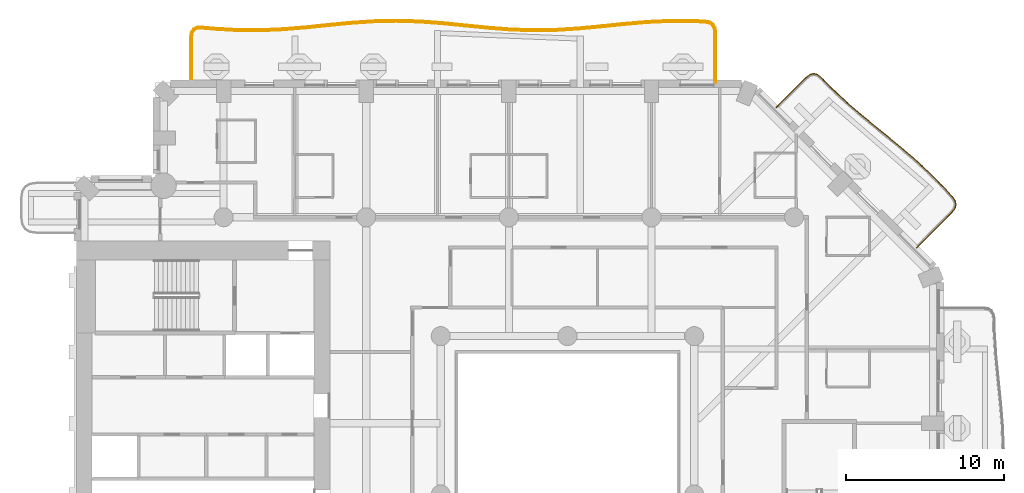
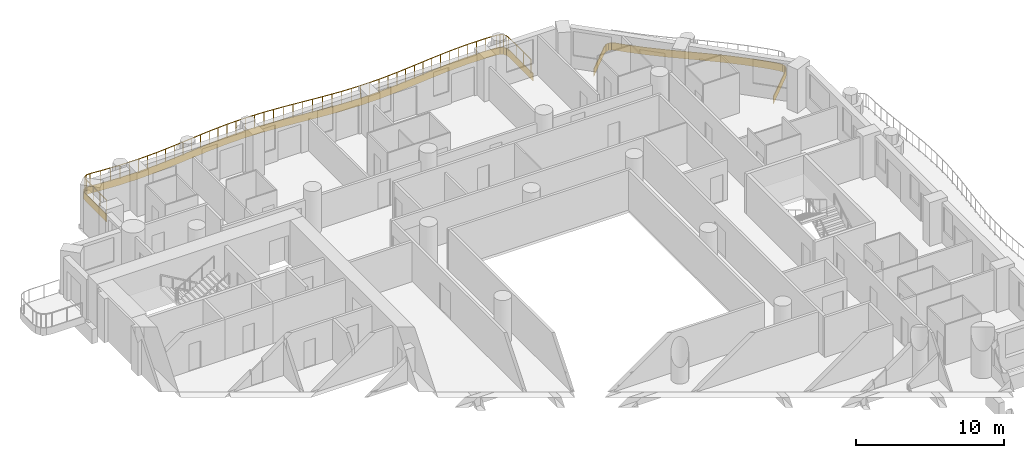
# One storey, part 18 of 20: 2 coverings, 1 railing.
"""IFC4 building model written with IfcOpenShell, lengths in metres."""

from ifc_helpers import new_model, si_unit, direction, frame, origin, origin_2d, place, context, subcontext, project, spatial, polyline, rectangle, outline, extrude, material, layer, layer_set, type_object, element, save


model = new_model("IFC4")

# Units and contexts
model_context = context("Model", 3, precision=1e-05, world=origin(), true_north=direction((0.0, 1.0)))
body_context = subcontext(model_context, "Body", "Model", "MODEL_VIEW")
ifc_project = project(units=[si_unit("LENGTHUNIT", "METRE"), si_unit("AREAUNIT", "SQUARE_METRE"), si_unit("VOLUMEUNIT", "CUBIC_METRE"), si_unit("PLANEANGLEUNIT", "RADIAN"), si_unit("MASSUNIT", "GRAM", prefix="KILO")], contexts=[model_context])

# Site, building, storey
site_placement = place(None, origin())
site = spatial("IfcSite", under=ifc_project, at=site_placement, CompositionType="ELEMENT")
building_placement = place(site_placement, origin())
building = spatial("IfcBuilding", under=site, at=building_placement, Name="Cypress Arch Tower", CompositionType="ELEMENT")
storey_placement = place(building_placement, frame((0.0, 0.0, 95.10009765625)))
storey = spatial("IfcBuildingStorey", under=building, at=storey_placement, Name="L18", CompositionType="ELEMENT", Elevation=95.10009765625)

# Coverings
ifc_material_1 = material(Name="White powder-coated aluminium fascia", Category="aluminium")
ifc_layer = layer(ifc_material_1, 0.050048828125)
ifc_layer_set = layer_set([ifc_layer], Name="Balcony fascia BF50")
covering_type = type_object("IfcCoveringType", Name="Balcony fascia BF50", PredefinedType="CLADDING", material=ifc_layer_set)
covering_1_placement = place(storey_placement, frame((0.0, 0.0, -0.60009765625)))
element("IfcCovering", 1, at=covering_1_placement, inside=storey, type_object=covering_type, Name="Balcony fascia L18-A07", PredefinedType="CLADDING", context=body_context, shape_type="SweptSolid", body=[
    extrude(outline(polyline([(16.069580078125, 26.3583984375), (16.300537109375, 26.531494140625), (16.541748046875, 26.590576171875), (16.78173828125, 26.52685546875), (17.009521484375, 26.349365234375), (17.539794921875, 25.798583984375), (18.5478515625, 24.850341796875), (19.597900390625, 23.943359375), (20.674072265625, 23.06103515625), (21.754150390625, 22.180908203125), (22.815185546875, 21.2802734375), (23.83837890625, 20.3408203125), (24.813720703125, 19.353271484375), (25.326904296875, 18.781982421875), (25.4892578125, 18.5400390625), (25.541259765625, 18.291015625), (25.47607421875, 18.044921875), (25.301025390625, 17.812255859375), (23.045166015625, 15.556396484375), (23.009765625, 15.591796875), (25.262939453125, 17.844970703125), (25.43017578125, 18.067138671875), (25.489990234375, 18.292236328125), (25.4423828125, 18.520263671875), (25.287353515625, 18.751220703125), (24.77734375, 19.31884765625), (23.8037109375, 20.3046875), (22.781982421875, 21.24267578125), (21.72216796875, 22.142578125), (20.642578125, 23.022216796875), (19.565673828125, 23.905029296875), (18.514404296875, 24.813232421875), (17.504638671875, 25.762939453125), (16.975830078125, 26.312255859375), (16.759033203125, 26.481201171875), (16.541259765625, 26.538818359375), (16.322265625, 26.4853515625), (16.1025390625, 26.320556640625), (14.191650390625, 24.40966796875), (14.15625, 24.445068359375), (16.069580078125, 26.3583984375)])), origin(), (0.0, 0.0, 1.0), 0.60009765625),
])
covering_2_placement = place(storey_placement, frame((0.0, 0.0, -0.60009765625)))
element("IfcCovering", 2, at=covering_2_placement, inside=storey, type_object=covering_type, Name="Balcony fascia L18-A08", PredefinedType="CLADDING", context=body_context, shape_type="SweptSolid", body=[
    extrude(outline(polyline([(-22.800048828125, 28.8857421875), (-22.757568359375, 29.1806640625), (-22.623046875, 29.393310546875), (-22.39892578125, 29.5078125), (-22.101318359375, 29.52294921875), (-21.30712890625, 29.449951171875), (-19.8701171875, 29.3671875), (-18.433349609375, 29.35400390625), (-16.99658203125, 29.413818359375), (-15.558837890625, 29.5322265625), (-14.1201171875, 29.679443359375), (-12.68017578125, 29.819580078125), (-11.2392578125, 29.91796875), (-9.797607421875, 29.94970703125), (-8.356201171875, 29.907470703125), (-6.915283203125, 29.801513671875), (-5.475341796875, 29.658203125), (-4.036865234375, 29.5126953125), (-2.599365234375, 29.4013671875), (-1.16259765625, 29.351318359375), (0.274169921875, 29.375), (1.711181640625, 29.46630859375), (3.1494140625, 29.603271484375), (4.5888671875, 29.751708984375), (6.029296875, 29.875), (7.470703125, 29.94287109375), (8.912353515625, 29.93798828125), (9.70849609375, 29.89599609375), (10.0048828125, 29.838134765625), (10.225341796875, 29.69384765625), (10.357666015625, 29.466064453125), (10.39990234375, 29.167236328125), (10.39990234375, 26.0009765625), (10.35009765625, 26.0009765625), (10.35009765625, 29.16357421875), (10.3095703125, 29.449462890625), (10.18798828125, 29.658447265625), (9.98583984375, 29.790771484375), (9.702392578125, 29.84619140625), (8.910888671875, 29.88818359375), (7.4716796875, 29.892822265625), (6.03271484375, 29.8251953125), (4.593505859375, 29.701904296875), (3.154296875, 29.553466796875), (1.71533203125, 29.41650390625), (0.276123046875, 29.324951171875), (-1.1630859375, 29.30126953125), (-2.602294921875, 29.351318359375), (-4.041259765625, 29.462890625), (-5.48046875, 29.6083984375), (-6.919677734375, 29.751708984375), (-8.358642578125, 29.857666015625), (-9.7978515625, 29.89990234375), (-11.237060546875, 29.867919921875), (-12.676025390625, 29.769775390625), (-14.115234375, 29.6298828125), (-15.554443359375, 29.482421875), (-16.993408203125, 29.364013671875), (-18.4326171875, 29.303955078125), (-19.871826171875, 29.317138671875), (-21.310791015625, 29.400146484375), (-22.102294921875, 29.472900390625), (-22.3857421875, 29.458251953125), (-22.588134765625, 29.35498046875), (-22.70947265625, 29.1630859375), (-22.75, 28.882080078125), (-22.75, 26.0009765625), (-22.800048828125, 26.0009765625), (-22.800048828125, 28.8857421875)])), origin(), (0.0, 0.0, 1.0), 0.60009765625),
])

# Railing
ifc_material_2 = material(Name="Powder-coated steel posts and rods, 100 mm clear between rods", Category="steel")
railing_type = type_object("IfcRailingType", Name="Balcony guard GR1100", PredefinedType="GUARDRAIL", material=ifc_material_2)
railing_placement = place(storey_placement, frame((-22.699951171875, 26.14990234375, 0.0)))
element("IfcRailing", 3, at=railing_placement, inside=storey, type_object=railing_type, Name="Balcony guard L18-A08", PredefinedType="GUARDRAIL", context=body_context, shape_type="SweptSolid", body=[
    extrude(rectangle(XDim=0.050048828125, YDim=0.050048828125, at=origin_2d()), frame((0.0, 0.0, 1.0751953125), z_axis=(0.0, 1.0, 0.0), x_axis=(-1.0, 0.0, 0.0)), (0.0, 0.0, 1.0), 2.728759765625),
    extrude(rectangle(XDim=0.050048828125, YDim=0.050048828125, at=origin_2d()), frame((0.0, 2.728759765625, 1.0751953125), z_axis=(0.142309601272, 0.989822194834, 0.0), x_axis=(-0.989822194834, 0.142309601272, 0.0)), (0.0, 0.0, 1.0), 0.269287109375),
    extrude(rectangle(XDim=0.050048828125, YDim=0.050048828125, at=origin_2d()), frame((0.038330078125, 2.995361328125, 1.0751953125), z_axis=(0.53453642892, 0.845145434915, 0.0), x_axis=(-0.845145434915, 0.53453642892, 0.0)), (0.0, 0.0, 1.0), 0.202880859375),
    extrude(rectangle(XDim=0.050048828125, YDim=0.050048828125, at=origin_2d()), frame((0.146728515625, 3.166748046875, 1.0751953125), z_axis=(0.890543032205, 0.454899008343, 0.0), x_axis=(-0.454899008343, 0.890543032205, 0.0)), (0.0, 0.0, 1.0), 0.202880859375),
    extrude(rectangle(XDim=0.050048828125, YDim=0.050048828125, at=origin_2d()), frame((0.327392578125, 3.259033203125, 1.0751953125), z_axis=(0.998664984942, 0.051655085428, 0.0), x_axis=(-0.051655085428, 0.998664984942, 0.0)), (0.0, 0.0, 1.0), 0.269287109375),
    extrude(rectangle(XDim=0.050048828125, YDim=0.050048828125, at=origin_2d()), frame((0.596435546875, 3.27294921875, 1.0751953125), z_axis=(0.995801759057, -0.091536094844, 0.0), x_axis=(0.091536094844, 0.995801759057, 0.0)), (0.0, 0.0, 1.0), 0.792236328125),
    extrude(rectangle(XDim=0.050048828125, YDim=0.050048828125, at=origin_2d()), frame((1.38525390625, 3.200439453125, 1.0751953125), z_axis=(0.998336199913, -0.05766135572, 0.0), x_axis=(0.05766135572, 0.998336199913, 0.0)), (0.0, 0.0, 1.0), 1.44384765625),
    extrude(rectangle(XDim=0.050048828125, YDim=0.050048828125, at=origin_2d()), frame((2.82666015625, 3.1171875, 1.0751953125), z_axis=(0.999958174843, -0.009145958916, 0.0), x_axis=(0.009145958916, 0.999958174843, 0.0)), (0.0, 0.0, 1.0), 1.44140625),
    extrude(rectangle(XDim=0.050048828125, YDim=0.050048828125, at=origin_2d()), frame((4.26806640625, 3.10400390625, 1.0751953125), z_axis=(0.999126019837, 0.041799479488, 0.0), x_axis=(-0.041799479488, 0.999126019837, 0.0)), (0.0, 0.0, 1.0), 1.442626953125),
    extrude(rectangle(XDim=0.050048828125, YDim=0.050048828125, at=origin_2d()), frame((5.70947265625, 3.164306640625, 1.0751953125), z_axis=(0.996639462423, 0.081913258647, 0.0), x_axis=(-0.081913258647, 0.996639462423, 0.0)), (0.0, 0.0, 1.0), 1.445556640625),
    extrude(rectangle(XDim=0.050048828125, YDim=0.050048828125, at=origin_2d()), frame((7.150146484375, 3.28271484375, 1.0751953125), z_axis=(0.994793726139, 0.101908990941, 0.0), x_axis=(-0.101908990941, 0.994793726139, 0.0)), (0.0, 0.0, 1.0), 1.447021484375),
    extrude(rectangle(XDim=0.050048828125, YDim=0.050048828125, at=origin_2d()), frame((8.589599609375, 3.43017578125, 1.0751953125), z_axis=(0.9953044498, 0.096793864517, 0.0), x_axis=(-0.096793864517, 0.9953044498, 0.0)), (0.0, 0.0, 1.0), 1.4453125),
    extrude(rectangle(XDim=0.050048828125, YDim=0.050048828125, at=origin_2d()), frame((10.028076171875, 3.570068359375, 1.0751953125), z_axis=(0.99768813432, 0.067958712734, 0.0), x_axis=(-0.067958712734, 0.99768813432, 0.0)), (0.0, 0.0, 1.0), 1.440673828125),
    extrude(rectangle(XDim=0.050048828125, YDim=0.050048828125, at=origin_2d()), frame((11.46533203125, 3.66796875, 1.0751953125), z_axis=(0.999752254456, 0.022258250397, 0.0), x_axis=(-0.022258250397, 0.999752254456, 0.0)), (0.0, 0.0, 1.0), 1.436767578125),
    extrude(rectangle(XDim=0.050048828125, YDim=0.050048828125, at=origin_2d()), frame((12.90185546875, 3.699951171875, 1.0751953125), z_axis=(0.999568194759, -0.029384077773, 0.0), x_axis=(0.029384077773, 0.999568194759, 0.0)), (0.0, 0.0, 1.0), 1.4375),
    extrude(rectangle(XDim=0.050048828125, YDim=0.050048828125, at=origin_2d()), frame((14.338623046875, 3.65771484375, 1.0751953125), z_axis=(0.99730689657, -0.073341352958, 0.0), x_axis=(0.073341352958, 0.99730689657, 0.0)), (0.0, 0.0, 1.0), 1.44140625),
    extrude(rectangle(XDim=0.050048828125, YDim=0.050048828125, at=origin_2d()), frame((15.776123046875, 3.552001953125, 1.0751953125), z_axis=(0.995073909169, -0.099135842614, 0.0), x_axis=(0.099135842614, 0.995073909169, 0.0)), (0.0, 0.0, 1.0), 1.445556640625),
    extrude(rectangle(XDim=0.050048828125, YDim=0.050048828125, at=origin_2d()), frame((17.214599609375, 3.40869140625, 1.0751953125), z_axis=(0.994931393591, -0.100556064199, 0.0), x_axis=(0.100556064199, 0.994931393591, 0.0)), (0.0, 0.0, 1.0), 1.447021484375),
    extrude(rectangle(XDim=0.050048828125, YDim=0.050048828125, at=origin_2d()), frame((18.654296875, 3.26318359375, 1.0751953125), z_axis=(0.997014596999, -0.077213297887, 0.0), x_axis=(0.077213297887, 0.997014596999, 0.0)), (0.0, 0.0, 1.0), 1.445068359375),
    extrude(rectangle(XDim=0.050048828125, YDim=0.050048828125, at=origin_2d()), frame((20.094970703125, 3.151611328125, 1.0751953125), z_axis=(0.999391843394, -0.03487037936, 0.0), x_axis=(0.03487037936, 0.999391843394, 0.0)), (0.0, 0.0, 1.0), 1.4423828125),
    extrude(rectangle(XDim=0.050048828125, YDim=0.050048828125, at=origin_2d()), frame((21.536376953125, 3.101318359375, 1.0751953125), z_axis=(0.999865108126, 0.01642454115, 0.0), x_axis=(-0.01642454115, 0.999865108126, 0.0)), (0.0, 0.0, 1.0), 1.44189453125),
    extrude(rectangle(XDim=0.050048828125, YDim=0.050048828125, at=origin_2d()), frame((22.97802734375, 3.125, 1.0751953125), z_axis=(0.997977534822, 0.063567601744, 0.0), x_axis=(-0.063567601744, 0.997977534822, 0.0)), (0.0, 0.0, 1.0), 1.444091796875),
    extrude(rectangle(XDim=0.050048828125, YDim=0.050048828125, at=origin_2d()), frame((24.419189453125, 3.216796875, 1.0751953125), z_axis=(0.995506844336, 0.094689613373, 0.0), x_axis=(-0.094689613373, 0.995506844336, 0.0)), (0.0, 0.0, 1.0), 1.446533203125),
    extrude(rectangle(XDim=0.050048828125, YDim=0.050048828125, at=origin_2d()), frame((25.859130859375, 3.353759765625, 1.0751953125), z_axis=(0.994721534839, 0.102611247571, 0.0), x_axis=(-0.102611247571, 0.994721534839, 0.0)), (0.0, 0.0, 1.0), 1.446533203125),
    extrude(rectangle(XDim=0.050048828125, YDim=0.050048828125, at=origin_2d()), frame((27.298095703125, 3.502197265625, 1.0751953125), z_axis=(0.99634335779, 0.085439530597, 0.0), x_axis=(-0.085439530597, 0.99634335779, 0.0)), (0.0, 0.0, 1.0), 1.443115234375),
    extrude(rectangle(XDim=0.050048828125, YDim=0.050048828125, at=origin_2d()), frame((28.73583984375, 3.62548828125, 1.0751953125), z_axis=(0.998902430091, 0.046839461554, 0.0), x_axis=(-0.046839461554, 0.998902430091, 0.0)), (0.0, 0.0, 1.0), 1.4384765625),
    extrude(rectangle(XDim=0.050048828125, YDim=0.050048828125, at=origin_2d()), frame((30.1728515625, 3.69287109375, 1.0751953125), z_axis=(0.999994786511, -0.003229079018, 0.0), x_axis=(0.003229079018, 0.999994786511, 0.0)), (0.0, 0.0, 1.0), 1.4365234375),
    extrude(rectangle(XDim=0.050048828125, YDim=0.050048828125, at=origin_2d()), frame((31.609375, 3.688232421875, 1.0751953125), z_axis=(0.998611831478, -0.052672668741, 0.0), x_axis=(0.052672668741, 0.998611831478, 0.0)), (0.0, 0.0, 1.0), 0.787841796875),
    extrude(rectangle(XDim=0.050048828125, YDim=0.050048828125, at=origin_2d()), frame((32.396240234375, 3.646728515625, 1.0751953125), z_axis=(0.981323594425, -0.1923642457, 0.0), x_axis=(0.1923642457, 0.981323594425, 0.0)), (0.0, 0.0, 1.0), 0.275390625),
    extrude(rectangle(XDim=0.050048828125, YDim=0.050048828125, at=origin_2d()), frame((32.66650390625, 3.59375, 1.0751953125), z_axis=(0.837301587834, -0.546741301724, 0.0), x_axis=(0.546741301724, 0.837301587834, 0.0)), (0.0, 0.0, 1.0), 0.22021484375),
    extrude(rectangle(XDim=0.050048828125, YDim=0.050048828125, at=origin_2d()), frame((32.850830078125, 3.473388671875, 1.0751953125), z_axis=(0.50221575172, -0.864742353955, 0.0), x_axis=(0.864742353955, 0.50221575172, 0.0)), (0.0, 0.0, 1.0), 0.22021484375),
    extrude(rectangle(XDim=0.050048828125, YDim=0.050048828125, at=origin_2d()), frame((32.96142578125, 3.282958984375, 1.0751953125), z_axis=(0.140056117845, -0.990143567294, 0.0), x_axis=(0.990143567294, 0.140056117845, 0.0)), (0.0, 0.0, 1.0), 0.275390625),
    extrude(rectangle(XDim=0.050048828125, YDim=0.050048828125, at=origin_2d()), frame((33.0, 3.01025390625, 1.0751953125), z_axis=(0.0, -1.0, 0.0), x_axis=(1.0, 0.0, 0.0)), (0.0, 0.0, 1.0), 3.01025390625),
    extrude(rectangle(XDim=0.0400390625, YDim=0.0400390625, at=origin_2d()), origin(), (0.0, 0.0, 1.0), 1.050048828125),
    extrude(rectangle(XDim=0.0400390625, YDim=0.0400390625, at=origin_2d()), frame((0.0, 0.90966796875, 0.0)), (0.0, 0.0, 1.0), 1.050048828125),
    extrude(rectangle(XDim=0.0400390625, YDim=0.0400390625, at=origin_2d()), frame((0.0, 1.819091796875, 0.0)), (0.0, 0.0, 1.0), 1.050048828125),
    extrude(rectangle(XDim=0.0400390625, YDim=0.0400390625, at=origin_2d()), frame((0.0, 2.728759765625, 0.0)), (0.0, 0.0, 1.0), 1.050048828125),
    extrude(rectangle(XDim=0.0400390625, YDim=0.0400390625, at=origin_2d()), frame((0.038330078125, 2.995361328125, 0.0)), (0.0, 0.0, 1.0), 1.050048828125),
    extrude(rectangle(XDim=0.0400390625, YDim=0.0400390625, at=origin_2d()), frame((0.146728515625, 3.166748046875, 0.0)), (0.0, 0.0, 1.0), 1.050048828125),
    extrude(rectangle(XDim=0.0400390625, YDim=0.0400390625, at=origin_2d()), frame((0.327392578125, 3.259033203125, 0.0)), (0.0, 0.0, 1.0), 1.050048828125),
    extrude(rectangle(XDim=0.0400390625, YDim=0.0400390625, at=origin_2d()), frame((0.596435546875, 3.27294921875, 0.0)), (0.0, 0.0, 1.0), 1.050048828125),
    extrude(rectangle(XDim=0.0400390625, YDim=0.0400390625, at=origin_2d()), frame((1.38525390625, 3.200439453125, 0.0)), (0.0, 0.0, 1.0), 1.050048828125),
    extrude(rectangle(XDim=0.0400390625, YDim=0.0400390625, at=origin_2d()), frame((2.10595703125, 3.15869140625, 0.0)), (0.0, 0.0, 1.0), 1.050048828125),
    extrude(rectangle(XDim=0.0400390625, YDim=0.0400390625, at=origin_2d()), frame((2.82666015625, 3.1171875, 0.0)), (0.0, 0.0, 1.0), 1.050048828125),
    extrude(rectangle(XDim=0.0400390625, YDim=0.0400390625, at=origin_2d()), frame((3.54736328125, 3.110595703125, 0.0)), (0.0, 0.0, 1.0), 1.050048828125),
    extrude(rectangle(XDim=0.0400390625, YDim=0.0400390625, at=origin_2d()), frame((4.26806640625, 3.10400390625, 0.0)), (0.0, 0.0, 1.0), 1.050048828125),
    extrude(rectangle(XDim=0.0400390625, YDim=0.0400390625, at=origin_2d()), frame((4.98876953125, 3.13427734375, 0.0)), (0.0, 0.0, 1.0), 1.050048828125),
    extrude(rectangle(XDim=0.0400390625, YDim=0.0400390625, at=origin_2d()), frame((5.70947265625, 3.164306640625, 0.0)), (0.0, 0.0, 1.0), 1.050048828125),
    extrude(rectangle(XDim=0.0400390625, YDim=0.0400390625, at=origin_2d()), frame((6.4296875, 3.2236328125, 0.0)), (0.0, 0.0, 1.0), 1.050048828125),
    extrude(rectangle(XDim=0.0400390625, YDim=0.0400390625, at=origin_2d()), frame((7.150146484375, 3.28271484375, 0.0)), (0.0, 0.0, 1.0), 1.050048828125),
    extrude(rectangle(XDim=0.0400390625, YDim=0.0400390625, at=origin_2d()), frame((7.869873046875, 3.3564453125, 0.0)), (0.0, 0.0, 1.0), 1.050048828125),
    extrude(rectangle(XDim=0.0400390625, YDim=0.0400390625, at=origin_2d()), frame((8.589599609375, 3.43017578125, 0.0)), (0.0, 0.0, 1.0), 1.050048828125),
    extrude(rectangle(XDim=0.0400390625, YDim=0.0400390625, at=origin_2d()), frame((9.308837890625, 3.5, 0.0)), (0.0, 0.0, 1.0), 1.050048828125),
    extrude(rectangle(XDim=0.0400390625, YDim=0.0400390625, at=origin_2d()), frame((10.028076171875, 3.570068359375, 0.0)), (0.0, 0.0, 1.0), 1.050048828125),
    extrude(rectangle(XDim=0.0400390625, YDim=0.0400390625, at=origin_2d()), frame((10.74658203125, 3.619140625, 0.0)), (0.0, 0.0, 1.0), 1.050048828125),
    extrude(rectangle(XDim=0.0400390625, YDim=0.0400390625, at=origin_2d()), frame((11.46533203125, 3.66796875, 0.0)), (0.0, 0.0, 1.0), 1.050048828125),
    extrude(rectangle(XDim=0.0400390625, YDim=0.0400390625, at=origin_2d()), frame((12.18359375, 3.68408203125, 0.0)), (0.0, 0.0, 1.0), 1.050048828125),
    extrude(rectangle(XDim=0.0400390625, YDim=0.0400390625, at=origin_2d()), frame((12.90185546875, 3.699951171875, 0.0)), (0.0, 0.0, 1.0), 1.050048828125),
    extrude(rectangle(XDim=0.0400390625, YDim=0.0400390625, at=origin_2d()), frame((13.6201171875, 3.6787109375, 0.0)), (0.0, 0.0, 1.0), 1.050048828125),
    extrude(rectangle(XDim=0.0400390625, YDim=0.0400390625, at=origin_2d()), frame((14.338623046875, 3.65771484375, 0.0)), (0.0, 0.0, 1.0), 1.050048828125),
    extrude(rectangle(XDim=0.0400390625, YDim=0.0400390625, at=origin_2d()), frame((15.057373046875, 3.60498046875, 0.0)), (0.0, 0.0, 1.0), 1.050048828125),
    extrude(rectangle(XDim=0.0400390625, YDim=0.0400390625, at=origin_2d()), frame((15.776123046875, 3.552001953125, 0.0)), (0.0, 0.0, 1.0), 1.050048828125),
    extrude(rectangle(XDim=0.0400390625, YDim=0.0400390625, at=origin_2d()), frame((16.495361328125, 3.48046875, 0.0)), (0.0, 0.0, 1.0), 1.050048828125),
    extrude(rectangle(XDim=0.0400390625, YDim=0.0400390625, at=origin_2d()), frame((17.214599609375, 3.40869140625, 0.0)), (0.0, 0.0, 1.0), 1.050048828125),
    extrude(rectangle(XDim=0.0400390625, YDim=0.0400390625, at=origin_2d()), frame((17.9345703125, 3.3359375, 0.0)), (0.0, 0.0, 1.0), 1.050048828125),
    extrude(rectangle(XDim=0.0400390625, YDim=0.0400390625, at=origin_2d()), frame((18.654296875, 3.26318359375, 0.0)), (0.0, 0.0, 1.0), 1.050048828125),
    extrude(rectangle(XDim=0.0400390625, YDim=0.0400390625, at=origin_2d()), frame((19.37451171875, 3.20751953125, 0.0)), (0.0, 0.0, 1.0), 1.050048828125),
    extrude(rectangle(XDim=0.0400390625, YDim=0.0400390625, at=origin_2d()), frame((20.094970703125, 3.151611328125, 0.0)), (0.0, 0.0, 1.0), 1.050048828125),
    extrude(rectangle(XDim=0.0400390625, YDim=0.0400390625, at=origin_2d()), frame((20.815673828125, 3.12646484375, 0.0)), (0.0, 0.0, 1.0), 1.050048828125),
    extrude(rectangle(XDim=0.0400390625, YDim=0.0400390625, at=origin_2d()), frame((21.536376953125, 3.101318359375, 0.0)), (0.0, 0.0, 1.0), 1.050048828125),
    extrude(rectangle(XDim=0.0400390625, YDim=0.0400390625, at=origin_2d()), frame((22.25732421875, 3.11328125, 0.0)), (0.0, 0.0, 1.0), 1.050048828125),
    extrude(rectangle(XDim=0.0400390625, YDim=0.0400390625, at=origin_2d()), frame((22.97802734375, 3.125, 0.0)), (0.0, 0.0, 1.0), 1.050048828125),
    extrude(rectangle(XDim=0.0400390625, YDim=0.0400390625, at=origin_2d()), frame((23.69873046875, 3.1708984375, 0.0)), (0.0, 0.0, 1.0), 1.050048828125),
    extrude(rectangle(XDim=0.0400390625, YDim=0.0400390625, at=origin_2d()), frame((24.419189453125, 3.216796875, 0.0)), (0.0, 0.0, 1.0), 1.050048828125),
    extrude(rectangle(XDim=0.0400390625, YDim=0.0400390625, at=origin_2d()), frame((25.13916015625, 3.28515625, 0.0)), (0.0, 0.0, 1.0), 1.050048828125),
    extrude(rectangle(XDim=0.0400390625, YDim=0.0400390625, at=origin_2d()), frame((25.859130859375, 3.353759765625, 0.0)), (0.0, 0.0, 1.0), 1.050048828125),
    extrude(rectangle(XDim=0.0400390625, YDim=0.0400390625, at=origin_2d()), frame((26.57861328125, 3.427978515625, 0.0)), (0.0, 0.0, 1.0), 1.050048828125),
    extrude(rectangle(XDim=0.0400390625, YDim=0.0400390625, at=origin_2d()), frame((27.298095703125, 3.502197265625, 0.0)), (0.0, 0.0, 1.0), 1.050048828125),
    extrude(rectangle(XDim=0.0400390625, YDim=0.0400390625, at=origin_2d()), frame((28.01708984375, 3.56396484375, 0.0)), (0.0, 0.0, 1.0), 1.050048828125),
    extrude(rectangle(XDim=0.0400390625, YDim=0.0400390625, at=origin_2d()), frame((28.73583984375, 3.62548828125, 0.0)), (0.0, 0.0, 1.0), 1.050048828125),
    extrude(rectangle(XDim=0.0400390625, YDim=0.0400390625, at=origin_2d()), frame((29.454345703125, 3.6591796875, 0.0)), (0.0, 0.0, 1.0), 1.050048828125),
    extrude(rectangle(XDim=0.0400390625, YDim=0.0400390625, at=origin_2d()), frame((30.1728515625, 3.69287109375, 0.0)), (0.0, 0.0, 1.0), 1.050048828125),
    extrude(rectangle(XDim=0.0400390625, YDim=0.0400390625, at=origin_2d()), frame((30.89111328125, 3.6904296875, 0.0)), (0.0, 0.0, 1.0), 1.050048828125),
    extrude(rectangle(XDim=0.0400390625, YDim=0.0400390625, at=origin_2d()), frame((31.609375, 3.688232421875, 0.0)), (0.0, 0.0, 1.0), 1.050048828125),
    extrude(rectangle(XDim=0.0400390625, YDim=0.0400390625, at=origin_2d()), frame((32.396240234375, 3.646728515625, 0.0)), (0.0, 0.0, 1.0), 1.050048828125),
    extrude(rectangle(XDim=0.0400390625, YDim=0.0400390625, at=origin_2d()), frame((32.66650390625, 3.59375, 0.0)), (0.0, 0.0, 1.0), 1.050048828125),
    extrude(rectangle(XDim=0.0400390625, YDim=0.0400390625, at=origin_2d()), frame((32.850830078125, 3.473388671875, 0.0)), (0.0, 0.0, 1.0), 1.050048828125),
    extrude(rectangle(XDim=0.0400390625, YDim=0.0400390625, at=origin_2d()), frame((32.96142578125, 3.282958984375, 0.0)), (0.0, 0.0, 1.0), 1.050048828125),
    extrude(rectangle(XDim=0.0400390625, YDim=0.0400390625, at=origin_2d()), frame((33.0, 3.01025390625, 0.0)), (0.0, 0.0, 1.0), 1.050048828125),
    extrude(rectangle(XDim=0.0400390625, YDim=0.0400390625, at=origin_2d()), frame((33.0, 2.0068359375, 0.0)), (0.0, 0.0, 1.0), 1.050048828125),
    extrude(rectangle(XDim=0.0400390625, YDim=0.0400390625, at=origin_2d()), frame((33.0, 1.00341796875, 0.0)), (0.0, 0.0, 1.0), 1.050048828125),
    extrude(rectangle(XDim=0.0400390625, YDim=0.0400390625, at=origin_2d()), frame((33.0, 0.0, 0.0)), (0.0, 0.0, 1.0), 1.050048828125),
])

save(model, "model.ifc")
